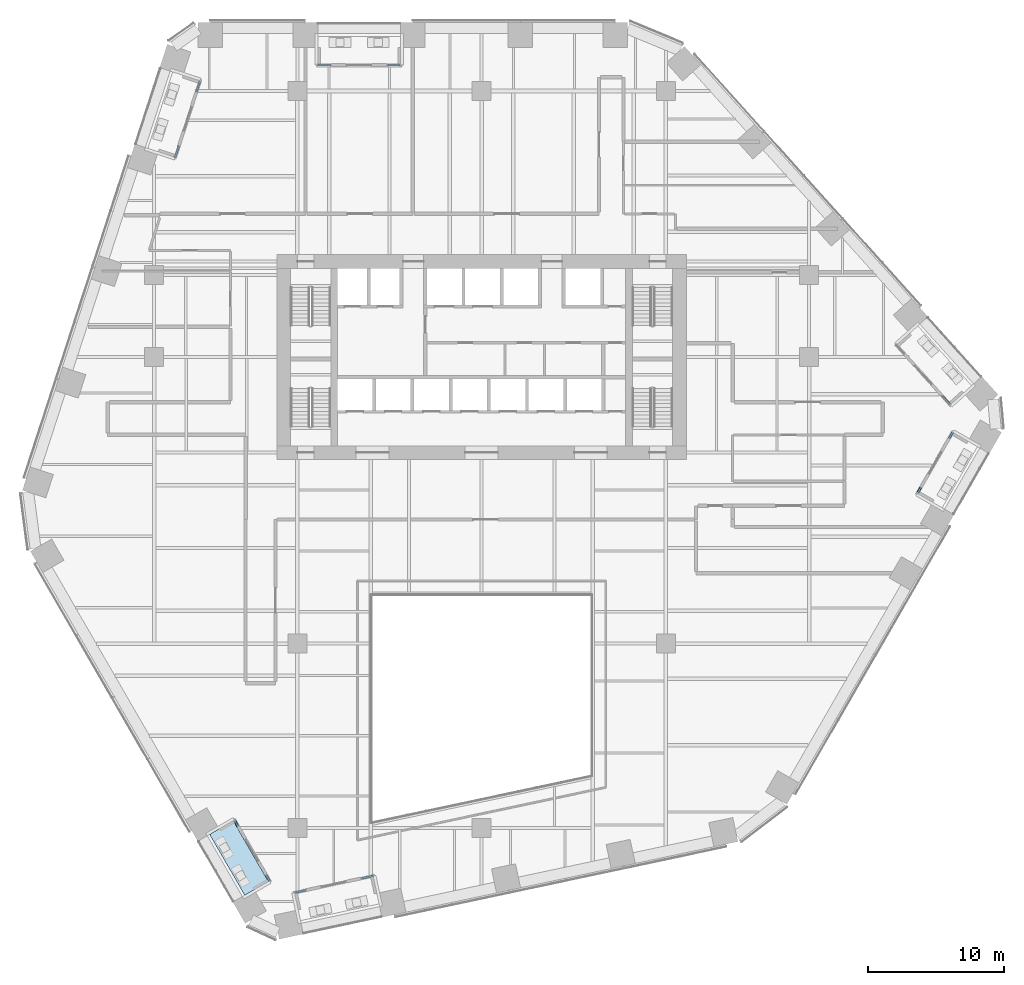
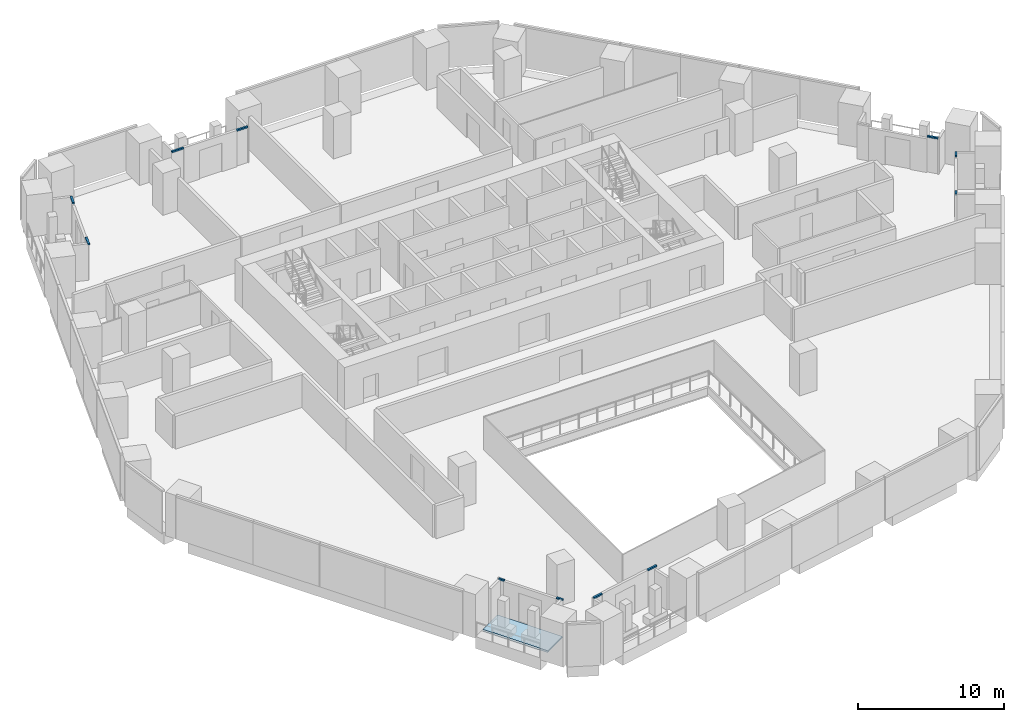
# One storey, part 14 of 28: 11 members, 1 slab, 6 elements without a shape of their own.
"""IFC4 building model written with IfcOpenShell, lengths in metres."""

from ifc_helpers import new_model, si_unit, direction, frame, origin, origin_2d, place, context, subcontext, project, spatial, polyline, rectangle, outline, extrude, material, layer, layer_set, material_profile, profile_set, type_object, element, aggregate, save


model = new_model("IFC4")

# Units and contexts
model_context = context("Model", 3, precision=1e-05, world=origin(), true_north=direction((0.0, 1.0)))
body_context = subcontext(model_context, "Body", "Model", "MODEL_VIEW")
ifc_project = project(units=[si_unit("LENGTHUNIT", "METRE"), si_unit("AREAUNIT", "SQUARE_METRE"), si_unit("VOLUMEUNIT", "CUBIC_METRE"), si_unit("PLANEANGLEUNIT", "RADIAN"), si_unit("MASSUNIT", "GRAM", prefix="KILO")], contexts=[model_context])

# Site, building, storey
site_placement = place(None, origin())
site = spatial("IfcSite", under=ifc_project, at=site_placement, CompositionType="ELEMENT")
building_placement = place(site_placement, origin())
building = spatial("IfcBuilding", under=site, at=building_placement, Name="Isthmus Gate Tower", CompositionType="ELEMENT")
storey_placement = place(building_placement, frame((0.0, 0.0, 68.85009765625)))
storey = spatial("IfcBuildingStorey", under=building, at=storey_placement, Name="L15", CompositionType="ELEMENT", Elevation=68.85009765625)

# Curtain wall, members
ifc_material_1 = material(Name="Aluminium, pale champagne anodised", Category="aluminium")
ifc_layer_1 = layer(ifc_material_1, 0.14990234375)
ifc_layer_set_1 = layer_set([ifc_layer_1], Name="CW-6 LOGGIA BACK WALL GLAZING 150 DEEP")
curtain_wall_type = type_object("IfcCurtainWallType", Name="CW-6 LOGGIA BACK WALL GLAZING 150 DEEP", PredefinedType="NOTDEFINED", material=ifc_layer_set_1)
curtain_wall_1_placement = place(storey_placement, origin())
curtain_wall_1 = element("IfcCurtainWall", 1, at=curtain_wall_1_placement, inside=storey, type_object=curtain_wall_type, Name="CW-6 N L15", PredefinedType="NOTDEFINED")
ifc_material_2 = material(Name="Aluminium, pale champagne anodised", Category="aluminium")
ifc_material_profile = material_profile(ifc_material_2, rectangle(XDim=0.14990234375, YDim=0.1201171875, at=origin_2d()), Name="150x120")
ifc_profile_set = profile_set([ifc_material_profile], Name="Aluminium, pale champagne anodised")
member_type = type_object("IfcMemberType", Name="CW-6 TRANSOM 150 X 120", PredefinedType="USERDEFINED", material=ifc_profile_set)
member_1_placement = place(storey_placement, frame((-5.9970703125, 28.89990234375, 2.989990234375), z_axis=(-1.0, 0.0, 0.0), x_axis=(0.0, -1.0, 0.0)))
member_1 = element("IfcMember", 2, at=member_1_placement, type_object=member_type, Name="CW-6 transom", ObjectType="TRANSOM", PredefinedType="USERDEFINED", context=body_context, shape_type="SweptSolid", body=[
    extrude(rectangle(XDim=0.14990234375, YDim=0.1201171875, at=origin_2d()), origin(), (0.0, 0.0, 1.0), 0.875),
])
member_2_placement = place(storey_placement, frame((-11.072021484375, 28.89990234375, 2.989990234375), z_axis=(-1.0, 0.0, 0.0), x_axis=(0.0, -1.0, 0.0)))
member_2 = element("IfcMember", 3, at=member_2_placement, type_object=member_type, Name="CW-6 transom", ObjectType="TRANSOM", PredefinedType="USERDEFINED", context=body_context, shape_type="SweptSolid", body=[
    extrude(rectangle(XDim=0.14990234375, YDim=0.1201171875, at=origin_2d()), origin(), (0.0, 0.0, 1.0), 0.9345703125),
])
aggregate(curtain_wall_1, [member_1, member_2])

curtain_wall_2_placement = place(storey_placement, origin())
curtain_wall_2 = element("IfcCurtainWall", 4, at=curtain_wall_2_placement, inside=storey, type_object=curtain_wall_type, Name="CW-6 NW L15", PredefinedType="NOTDEFINED")
member_3_placement = place(storey_placement, frame((-20.655517578125, 27.68798828125, 2.989990234375), z_axis=(-0.309219718545, -0.950990623331, 0.0), x_axis=(0.950990623331, -0.309219718545, 0.0)))
member_3 = element("IfcMember", 5, at=member_3_placement, type_object=member_type, Name="CW-6 transom", ObjectType="TRANSOM", PredefinedType="USERDEFINED", context=body_context, shape_type="SweptSolid", body=[
    extrude(rectangle(XDim=0.14990234375, YDim=0.1201171875, at=origin_2d()), origin(), (0.0, 0.0, 1.0), 0.784912109375),
])
member_4_placement = place(storey_placement, frame((-22.196044921875, 22.947265625, 2.989990234375), z_axis=(-0.309020707094, -0.951055309952, 0.0), x_axis=(0.951055309952, -0.309020707094, 0.0)))
member_4 = element("IfcMember", 6, at=member_4_placement, type_object=member_type, Name="CW-6 transom", ObjectType="TRANSOM", PredefinedType="USERDEFINED", context=body_context, shape_type="SweptSolid", body=[
    extrude(rectangle(XDim=0.14990234375, YDim=0.1201171875, at=origin_2d()), origin(), (0.0, 0.0, 1.0), 0.844482421875),
])
aggregate(curtain_wall_2, [member_3, member_4])

curtain_wall_3_placement = place(storey_placement, origin())
curtain_wall_3 = element("IfcCurtainWall", 7, at=curtain_wall_3_placement, inside=storey, type_object=curtain_wall_type, Name="CW-6 SW L15", PredefinedType="NOTDEFINED")
member_5_placement = place(storey_placement, frame((-18.081787109375, -26.4814453125, 2.989990234375), z_axis=(0.499898558967, -0.866083962871, 0.0), x_axis=(0.866083962871, 0.499898558967, 0.0)))
member_5 = element("IfcMember", 8, at=member_5_placement, type_object=member_type, Name="CW-6 transom", ObjectType="TRANSOM", PredefinedType="USERDEFINED", context=body_context, shape_type="SweptSolid", body=[
    extrude(rectangle(XDim=0.14990234375, YDim=0.1201171875, at=origin_2d()), origin(), (0.0, 0.0, 1.0), 0.43994140625),
])
member_6_placement = place(storey_placement, frame((-15.7900390625, -30.450927734375, 2.989990234375), z_axis=(0.500131122175, -0.865949687125, 0.0), x_axis=(0.865949687125, 0.500131122175, 0.0)))
member_6 = element("IfcMember", 9, at=member_6_placement, type_object=member_type, Name="CW-6 transom", ObjectType="TRANSOM", PredefinedType="USERDEFINED", context=body_context, shape_type="SweptSolid", body=[
    extrude(rectangle(XDim=0.14990234375, YDim=0.1201171875, at=origin_2d()), origin(), (0.0, 0.0, 1.0), 0.499755859375),
])
aggregate(curtain_wall_3, [member_5, member_6])

curtain_wall_4_placement = place(storey_placement, origin())
curtain_wall_4 = element("IfcCurtainWall", 10, at=curtain_wall_4_placement, inside=storey, type_object=curtain_wall_type, Name="CW-6 S L15", PredefinedType="NOTDEFINED")
member_7_placement = place(storey_placement, frame((-13.650634765625, -31.732177734375, 2.989990234375), z_axis=(0.978151731785, 0.207892254799, 0.0), x_axis=(-0.207892254799, 0.978151731785, 0.0)))
member_7 = element("IfcMember", 11, at=member_7_placement, type_object=member_type, Name="CW-6 transom", ObjectType="TRANSOM", PredefinedType="USERDEFINED", context=body_context, shape_type="SweptSolid", body=[
    extrude(rectangle(XDim=0.14990234375, YDim=0.1201171875, at=origin_2d()), origin(), (0.0, 0.0, 1.0), 0.784423828125),
])
member_8_placement = place(storey_placement, frame((-8.77490234375, -30.696044921875, 2.989990234375), z_axis=(0.978105928985, 0.208107644465, 0.0), x_axis=(-0.208107644465, 0.978105928985, 0.0)))
member_8 = element("IfcMember", 12, at=member_8_placement, type_object=member_type, Name="CW-6 transom", ObjectType="TRANSOM", PredefinedType="USERDEFINED", context=body_context, shape_type="SweptSolid", body=[
    extrude(rectangle(XDim=0.14990234375, YDim=0.1201171875, at=origin_2d()), origin(), (0.0, 0.0, 1.0), 0.8447265625),
])
aggregate(curtain_wall_4, [member_7, member_8])

curtain_wall_5_placement = place(storey_placement, origin())
curtain_wall_5 = element("IfcCurtainWall", 13, at=curtain_wall_5_placement, inside=storey, type_object=curtain_wall_type, Name="CW-6 SE L15", PredefinedType="NOTDEFINED")
member_9_placement = place(storey_placement, frame((31.96142578125, -2.441162109375, 2.989990234375), z_axis=(0.499898558967, 0.866083962871, 0.0), x_axis=(-0.866083962871, 0.499898558967, 0.0)))
member_9 = element("IfcMember", 14, at=member_9_placement, type_object=member_type, Name="CW-6 transom", ObjectType="TRANSOM", PredefinedType="USERDEFINED", context=body_context, shape_type="SweptSolid", body=[
    extrude(rectangle(XDim=0.14990234375, YDim=0.1201171875, at=origin_2d()), origin(), (0.0, 0.0, 1.0), 0.43994140625),
])
member_10_placement = place(storey_placement, frame((34.266357421875, 1.55078125, 2.989990234375), z_axis=(0.499919672301, 0.866071776036, 0.0), x_axis=(-0.866071776036, 0.499919672301, 0.0)))
member_10 = element("IfcMember", 15, at=member_10_placement, type_object=member_type, Name="CW-6 transom", ObjectType="TRANSOM", PredefinedType="USERDEFINED", context=body_context, shape_type="SweptSolid", body=[
    extrude(rectangle(XDim=0.14990234375, YDim=0.1201171875, at=origin_2d()), origin(), (0.0, 0.0, 1.0), 0.5),
])
aggregate(curtain_wall_5, [member_9, member_10])

# Curtain wall, member
curtain_wall_6_placement = place(storey_placement, origin())
curtain_wall_6 = element("IfcCurtainWall", 16, at=curtain_wall_6_placement, inside=storey, type_object=curtain_wall_type, Name="CW-6 NE L15", PredefinedType="NOTDEFINED")
member_11_placement = place(storey_placement, frame((34.306396484375, 4.044189453125, 2.989990234375), z_axis=(-0.669119394637, 0.743154920404, 0.0), x_axis=(-0.743154920404, -0.669119394637, 0.0)))
member_11 = element("IfcMember", 17, at=member_11_placement, type_object=member_type, Name="CW-6 transom", ObjectType="TRANSOM", PredefinedType="USERDEFINED", context=body_context, shape_type="SweptSolid", body=[
    extrude(rectangle(XDim=0.14990234375, YDim=0.1201171875, at=origin_2d()), origin(), (0.0, 0.0, 1.0), 0.784912109375),
])
aggregate(curtain_wall_6, [member_11])

# Slab
ifc_material_3 = material(Name="Concrete f'c 50 MPa", Category="concrete")
ifc_layer_2 = layer(ifc_material_3, 0.14990234375)
ifc_layer_set_2 = layer_set([ifc_layer_2], Name="LOGGIA FLOOR SLAB 150")
slab_type = type_object("IfcSlabType", Name="LOGGIA FLOOR SLAB 150", PredefinedType="FLOOR", material=ifc_layer_set_2)
slab_placement = place(storey_placement, frame((0.0, 0.0, -0.150146484375)))
element("IfcSlab", 18, at=slab_placement, inside=storey, type_object=slab_type, Name="LOGGIA FLOOR", PredefinedType="FLOOR", context=body_context, shape_type="SweptSolid", body=[
    extrude(outline(polyline([(-19.930419921875, -27.4794921875), (-17.358642578125, -31.933837890625), (-15.626708984375, -30.933837890625), (-18.198486328125, -26.4794921875), (-19.930419921875, -27.4794921875)])), origin(), (0.0, 0.0, 1.0), 0.150146484375),
])

save(model, "model.ifc")
